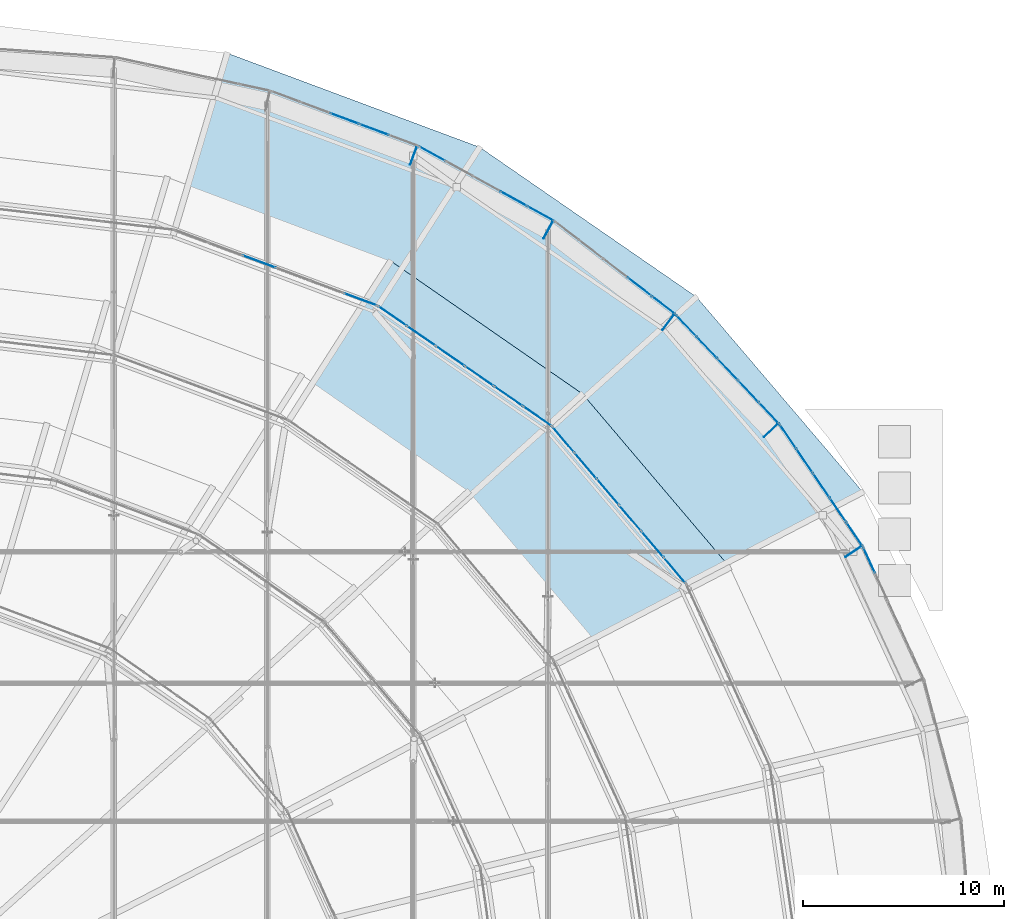
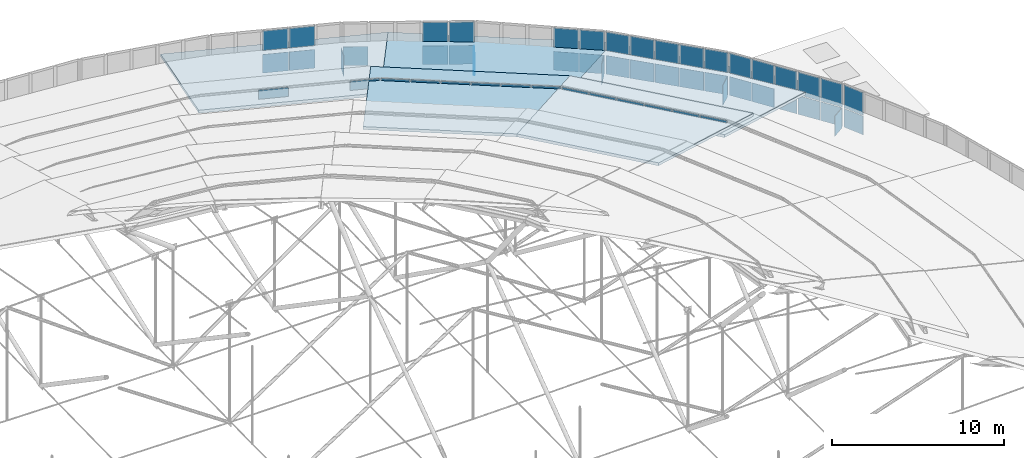
# One storey, part 159 of 173: 54 plates, 5 slabs, 11 elements without a shape of their own.
"""IFC4 building model written with IfcOpenShell, lengths in metres."""

from ifc_helpers import new_model, si_unit, direction, frame, origin, origin_2d, place, context, subcontext, project, spatial, polyline, rectangle, outline, extrude, material, layer, layer_set, type_object, element, aggregate, save


model = new_model("IFC4")

# Units and contexts
model_context = context("Model", 3, precision=1e-05, world=origin(), true_north=direction((0.0, 1.0)))
body_context = subcontext(model_context, "Body", "Model", "MODEL_VIEW")
ifc_project = project(units=[si_unit("LENGTHUNIT", "METRE"), si_unit("AREAUNIT", "SQUARE_METRE"), si_unit("VOLUMEUNIT", "CUBIC_METRE"), si_unit("PLANEANGLEUNIT", "RADIAN"), si_unit("MASSUNIT", "GRAM", prefix="KILO")], contexts=[model_context])

# Site, building, storey
site_placement = place(None, origin())
site = spatial("IfcSite", under=ifc_project, at=site_placement, CompositionType="ELEMENT")
building_placement = place(site_placement, origin())
building = spatial("IfcBuilding", under=site, at=building_placement, Name="Glasvene Arena", CompositionType="ELEMENT")
storey_placement = place(building_placement, frame((0.0, 0.0, 28.800048828125)))
storey = spatial("IfcBuildingStorey", under=building, at=storey_placement, Name="RF", CompositionType="ELEMENT", Elevation=28.800048828125)

# Curtain wall, plates
ifc_material_1 = material(Name="Low-emissivity laminated double glazing", Category="glass")
curtain_wall_type_1 = type_object("IfcCurtainWallType", Name="CW-PET1-1026x75", PredefinedType="USERDEFINED", material=ifc_material_1)
curtain_wall_1_placement = place(storey_placement, frame((128.2431640625, 91.85009765625, 0.0)))
curtain_wall_1 = element("IfcCurtainWall", 1, at=curtain_wall_1_placement, inside=storey, type_object=curtain_wall_type_1, Name="Petal ring 1-2 clerestory curtain wall 03", ObjectType="CURTAIN WALL", PredefinedType="USERDEFINED")
ifc_layer_1 = layer(ifc_material_1, 0.028076171875)
ifc_layer_set_1 = layer_set([ifc_layer_1], Name="Low-emissivity laminated double glazing")
plate_type_1 = type_object("IfcPlateType", Name="CW-GLZ-28", PredefinedType="CURTAIN_PANEL", material=ifc_layer_set_1)
plate_1_placement = place(storey_placement, frame((127.680908203125, 92.51025390625, 2.6298828125), z_axis=(0.0, 0.0, 1.0), x_axis=(-0.648445320272, 0.761261234149, 0.0)))
plate_1 = element("IfcPlate", 2, at=plate_1_placement, type_object=plate_type_1, Name="CW-083 panel 1.1", PredefinedType="CURTAIN_PANEL", context=body_context, shape_type="SweptSolid", body=[
    extrude(rectangle(XDim=1.634521484375, YDim=0.028076171875, at=origin_2d()), origin(), (0.0, 0.0, 1.0), 0.64990234375),
])
plate_2_placement = place(storey_placement, frame((126.58056640625, 93.802001953125, 2.6298828125), z_axis=(0.0, 0.0, 1.0), x_axis=(-0.648445320272, 0.761261234149, 0.0)))
plate_2 = element("IfcPlate", 3, at=plate_2_placement, type_object=plate_type_1, Name="CW-083 panel 2.1", PredefinedType="CURTAIN_PANEL", context=body_context, shape_type="SweptSolid", body=[
    extrude(rectangle(XDim=1.659423828125, YDim=0.028076171875, at=origin_2d()), origin(), (0.0, 0.0, 1.0), 0.64990234375),
])
plate_3_placement = place(storey_placement, frame((125.471923828125, 95.103271484375, 2.6298828125), z_axis=(0.0, 0.0, 1.0), x_axis=(-0.648445320272, 0.761261234149, 0.0)))
plate_3 = element("IfcPlate", 4, at=plate_3_placement, type_object=plate_type_1, Name="CW-083 panel 3.1", PredefinedType="CURTAIN_PANEL", context=body_context, shape_type="SweptSolid", body=[
    extrude(rectangle(XDim=1.659423828125, YDim=0.028076171875, at=origin_2d()), origin(), (0.0, 0.0, 1.0), 0.64990234375),
])
plate_4_placement = place(storey_placement, frame((124.363525390625, 96.404541015625, 2.6298828125), z_axis=(0.0, 0.0, 1.0), x_axis=(-0.648445320272, 0.761261234149, 0.0)))
plate_4 = element("IfcPlate", 5, at=plate_4_placement, type_object=plate_type_1, Name="CW-083 panel 4.1", PredefinedType="CURTAIN_PANEL", context=body_context, shape_type="SweptSolid", body=[
    extrude(rectangle(XDim=1.659423828125, YDim=0.028076171875, at=origin_2d()), origin(), (0.0, 0.0, 1.0), 0.64990234375),
])
plate_5_placement = place(storey_placement, frame((123.255126953125, 97.705810546875, 2.6298828125), z_axis=(0.0, 0.0, 1.0), x_axis=(-0.648445320272, 0.761261234149, 0.0)))
plate_5 = element("IfcPlate", 6, at=plate_5_placement, type_object=plate_type_1, Name="CW-083 panel 5.1", PredefinedType="CURTAIN_PANEL", context=body_context, shape_type="SweptSolid", body=[
    extrude(rectangle(XDim=1.659423828125, YDim=0.028076171875, at=origin_2d()), origin(), (0.0, 0.0, 1.0), 0.64990234375),
])
plate_6_placement = place(storey_placement, frame((122.15478515625, 98.997802734375, 2.6298828125), z_axis=(0.0, 0.0, 1.0), x_axis=(-0.648445320272, 0.761261234149, 0.0)))
plate_6 = element("IfcPlate", 7, at=plate_6_placement, type_object=plate_type_1, Name="CW-083 panel 6.1", PredefinedType="CURTAIN_PANEL", context=body_context, shape_type="SweptSolid", body=[
    extrude(rectangle(XDim=1.634521484375, YDim=0.028076171875, at=origin_2d()), origin(), (0.0, 0.0, 1.0), 0.64990234375),
])
aggregate(curtain_wall_1, [plate_1, plate_2, plate_3, plate_4, plate_5, plate_6])

curtain_wall_type_2 = type_object("IfcCurtainWallType", Name="CW-PET1-1054x75", PredefinedType="USERDEFINED", material=ifc_material_1)
curtain_wall_2_placement = place(storey_placement, frame((121.59228515625, 99.657958984375, 0.0)))
curtain_wall_2 = element("IfcCurtainWall", 8, at=curtain_wall_2_placement, inside=storey, type_object=curtain_wall_type_2, Name="Petal ring 1-2 clerestory curtain wall 04", ObjectType="CURTAIN WALL", PredefinedType="USERDEFINED")
plate_7_placement = place(storey_placement, frame((120.85986328125, 100.164306640625, 2.6298828125), z_axis=(0.0, 0.0, 1.0), x_axis=(-0.822600954666, 0.568619089886, 0.0)))
plate_7 = element("IfcPlate", 9, at=plate_7_placement, type_object=plate_type_1, Name="CW-084 panel 1.1", PredefinedType="CURTAIN_PANEL", context=body_context, shape_type="SweptSolid", body=[
    extrude(rectangle(XDim=1.68115234375, YDim=0.028076171875, at=origin_2d()), origin(), (0.0, 0.0, 1.0), 0.64990234375),
])
plate_8_placement = place(storey_placement, frame((119.425537109375, 101.15576171875, 2.6298828125), z_axis=(0.0, 0.0, 1.0), x_axis=(-0.822600954666, 0.568619089886, 0.0)))
plate_8 = element("IfcPlate", 10, at=plate_8_placement, type_object=plate_type_1, Name="CW-084 panel 2.1", PredefinedType="CURTAIN_PANEL", context=body_context, shape_type="SweptSolid", body=[
    extrude(rectangle(XDim=1.7060546875, YDim=0.028076171875, at=origin_2d()), origin(), (0.0, 0.0, 1.0), 0.64990234375),
])
plate_9_placement = place(storey_placement, frame((117.98095703125, 102.154296875, 2.6298828125), z_axis=(0.0, 0.0, 1.0), x_axis=(-0.822600954666, 0.568619089886, 0.0)))
plate_9 = element("IfcPlate", 11, at=plate_9_placement, type_object=plate_type_1, Name="CW-084 panel 3.1", PredefinedType="CURTAIN_PANEL", context=body_context, shape_type="SweptSolid", body=[
    extrude(rectangle(XDim=1.7060546875, YDim=0.028076171875, at=origin_2d()), origin(), (0.0, 0.0, 1.0), 0.64990234375),
])
plate_10_placement = place(storey_placement, frame((116.536376953125, 103.15283203125, 2.6298828125), z_axis=(0.0, 0.0, 1.0), x_axis=(-0.822600954666, 0.568619089886, 0.0)))
plate_10 = element("IfcPlate", 12, at=plate_10_placement, type_object=plate_type_1, Name="CW-084 panel 4.1", PredefinedType="CURTAIN_PANEL", context=body_context, shape_type="SweptSolid", body=[
    extrude(rectangle(XDim=1.7060546875, YDim=0.028076171875, at=origin_2d()), origin(), (0.0, 0.0, 1.0), 0.64990234375),
])
plate_11_placement = place(storey_placement, frame((115.091796875, 104.1513671875, 2.6298828125), z_axis=(0.0, 0.0, 1.0), x_axis=(-0.822600954666, 0.568619089886, 0.0)))
plate_11 = element("IfcPlate", 13, at=plate_11_placement, type_object=plate_type_1, Name="CW-084 panel 5.1", PredefinedType="CURTAIN_PANEL", context=body_context, shape_type="SweptSolid", body=[
    extrude(rectangle(XDim=1.7060546875, YDim=0.028076171875, at=origin_2d()), origin(), (0.0, 0.0, 1.0), 0.64990234375),
])
plate_12_placement = place(storey_placement, frame((113.657470703125, 105.142822265625, 2.6298828125), z_axis=(0.0, 0.0, 1.0), x_axis=(-0.822600954666, 0.568619089886, 0.0)))
plate_12 = element("IfcPlate", 14, at=plate_12_placement, type_object=plate_type_1, Name="CW-084 panel 6.1", PredefinedType="CURTAIN_PANEL", context=body_context, shape_type="SweptSolid", body=[
    extrude(rectangle(XDim=1.68115234375, YDim=0.028076171875, at=origin_2d()), origin(), (0.0, 0.0, 1.0), 0.64990234375),
])
aggregate(curtain_wall_2, [plate_7, plate_8, plate_9, plate_10, plate_11, plate_12])

curtain_wall_type_3 = type_object("IfcCurtainWallType", Name="CW-PET1-1077x75", PredefinedType="USERDEFINED", material=ifc_material_1)
curtain_wall_3_placement = place(storey_placement, frame((112.925048828125, 105.649169921875, 0.0)))
curtain_wall_3 = element("IfcCurtainWall", 15, at=curtain_wall_3_placement, inside=storey, type_object=curtain_wall_type_3, Name="Petal ring 1-2 clerestory curtain wall 05", ObjectType="CURTAIN WALL", PredefinedType="USERDEFINED")
plate_13_placement = place(storey_placement, frame((112.072265625, 105.967529296875, 2.6298828125), z_axis=(0.0, 0.0, 1.0), x_axis=(-0.936902411354, 0.349591006176, 0.0)))
plate_13 = element("IfcPlate", 16, at=plate_13_placement, type_object=plate_type_1, Name="CW-085 panel 1.1", PredefinedType="CURTAIN_PANEL", context=body_context, shape_type="SweptSolid", body=[
    extrude(rectangle(XDim=1.720458984375, YDim=0.028076171875, at=origin_2d()), origin(), (0.0, 0.0, 1.0), 0.64990234375),
])
plate_14_placement = place(storey_placement, frame((107.037109375, 107.84619140625, 2.6298828125), z_axis=(0.0, 0.0, 1.0), x_axis=(-0.936902411354, 0.349591006176, 0.0)))
plate_14 = element("IfcPlate", 17, at=plate_14_placement, type_object=plate_type_1, Name="CW-085 panel 4.1", PredefinedType="CURTAIN_PANEL", context=body_context, shape_type="SweptSolid", body=[
    extrude(rectangle(XDim=1.74560546875, YDim=0.028076171875, at=origin_2d()), origin(), (0.0, 0.0, 1.0), 0.64990234375),
])
aggregate(curtain_wall_3, [plate_13, plate_14])

curtain_wall_type_4 = type_object("IfcCurtainWallType", Name="CW-DRUM-727x310", PredefinedType="USERDEFINED", material=ifc_material_1)
curtain_wall_4_placement = place(storey_placement, frame((140.075927734375, 87.07568359375, 0.0)))
curtain_wall_4 = element("IfcCurtainWall", 18, at=curtain_wall_4_placement, inside=storey, type_object=curtain_wall_type_4, Name="Crown compression-ring fascia curtain wall 03", ObjectType="CURTAIN WALL", PredefinedType="USERDEFINED")
ifc_material_2 = material(Name="Insulated shadow-box spandrel panel")
ifc_layer_2 = layer(ifc_material_2, 0.02392578125)
ifc_layer_set_2 = layer_set([ifc_layer_2], Name="Insulated shadow-box spandrel panel")
plate_type_2 = type_object("IfcPlateType", Name="CW-SPN-24", PredefinedType="CURTAIN_PANEL", material=ifc_layer_set_2)
plate_15_placement = place(storey_placement, frame((137.34912109375, 93.007568359375, -1.330078125), z_axis=(0.0, 0.0, 1.0), x_axis=(-0.417660752738, 0.908603046232, 0.0)))
plate_15 = element("IfcPlate", 19, at=plate_15_placement, type_object=plate_type_2, Name="CW-073 panel 5.1", PredefinedType="CURTAIN_PANEL", context=body_context, shape_type="SweptSolid", body=[
    extrude(rectangle(XDim=1.378662109375, YDim=0.02392578125, at=origin_2d()), origin(), (0.0, 0.0, 1.0), 1.324951171875),
])
plate_16_placement = place(storey_placement, frame((137.34912109375, 93.007568359375, 0.044921875), z_axis=(0.0, 0.0, 1.0), x_axis=(-0.417660752738, 0.908603046232, 0.0)))
plate_16 = element("IfcPlate", 20, at=plate_16_placement, type_object=plate_type_2, Name="CW-073 panel 5.2", PredefinedType="CURTAIN_PANEL", context=body_context, shape_type="SweptSolid", body=[
    extrude(rectangle(XDim=1.378662109375, YDim=0.02392578125, at=origin_2d()), origin(), (0.0, 0.0, 1.0), 1.625),
])
aggregate(curtain_wall_4, [plate_15, plate_16])

curtain_wall_type_5 = type_object("IfcCurtainWallType", Name="CW-DRUM-737x310", PredefinedType="USERDEFINED", material=ifc_material_1)
curtain_wall_5_placement = place(storey_placement, frame((137.040283203125, 93.67919921875, 0.0)))
curtain_wall_5 = element("IfcCurtainWall", 21, at=curtain_wall_5_placement, inside=storey, type_object=curtain_wall_type_5, Name="Crown compression-ring fascia curtain wall 04", ObjectType="CURTAIN WALL", PredefinedType="USERDEFINED")
plate_17_placement = place(storey_placement, frame((136.618896484375, 94.299072265625, -1.330078125), z_axis=(0.0, 0.0, 1.0), x_axis=(-0.56235418457, 0.826896469394, 0.0)))
plate_17 = element("IfcPlate", 22, at=plate_17_placement, type_object=plate_type_2, Name="CW-074 panel 1.1", PredefinedType="CURTAIN_PANEL", context=body_context, shape_type="SweptSolid", body=[
    extrude(rectangle(XDim=1.39892578125, YDim=0.02392578125, at=origin_2d()), origin(), (0.0, 0.0, 1.0), 1.324951171875),
])
plate_18_placement = place(storey_placement, frame((136.618896484375, 94.299072265625, 0.044921875), z_axis=(0.0, 0.0, 1.0), x_axis=(-0.56235418457, 0.826896469394, 0.0)))
plate_18 = element("IfcPlate", 23, at=plate_18_placement, type_object=plate_type_2, Name="CW-074 panel 1.2", PredefinedType="CURTAIN_PANEL", context=body_context, shape_type="SweptSolid", body=[
    extrude(rectangle(XDim=1.39892578125, YDim=0.02392578125, at=origin_2d()), origin(), (0.0, 0.0, 1.0), 1.625),
])
plate_19_placement = place(storey_placement, frame((135.797119140625, 95.507568359375, -1.330078125), z_axis=(0.0, 0.0, 1.0), x_axis=(-0.56235418457, 0.826896469394, 0.0)))
plate_19 = element("IfcPlate", 24, at=plate_19_placement, type_object=plate_type_2, Name="CW-074 panel 2.1", PredefinedType="CURTAIN_PANEL", context=body_context, shape_type="SweptSolid", body=[
    extrude(rectangle(XDim=1.424072265625, YDim=0.02392578125, at=origin_2d()), origin(), (0.0, 0.0, 1.0), 1.324951171875),
])
plate_20_placement = place(storey_placement, frame((135.797119140625, 95.507568359375, 0.044921875), z_axis=(0.0, 0.0, 1.0), x_axis=(-0.56235418457, 0.826896469394, 0.0)))
plate_20 = element("IfcPlate", 25, at=plate_20_placement, type_object=plate_type_2, Name="CW-074 panel 2.2", PredefinedType="CURTAIN_PANEL", context=body_context, shape_type="SweptSolid", body=[
    extrude(rectangle(XDim=1.424072265625, YDim=0.02392578125, at=origin_2d()), origin(), (0.0, 0.0, 1.0), 1.625),
])
plate_21_placement = place(storey_placement, frame((134.968017578125, 96.7265625, -1.330078125), z_axis=(0.0, 0.0, 1.0), x_axis=(-0.56235418457, 0.826896469394, 0.0)))
plate_21 = element("IfcPlate", 26, at=plate_21_placement, type_object=plate_type_2, Name="CW-074 panel 3.1", PredefinedType="CURTAIN_PANEL", context=body_context, shape_type="SweptSolid", body=[
    extrude(rectangle(XDim=1.424072265625, YDim=0.02392578125, at=origin_2d()), origin(), (0.0, 0.0, 1.0), 1.324951171875),
])
plate_22_placement = place(storey_placement, frame((134.968017578125, 96.7265625, 0.044921875), z_axis=(0.0, 0.0, 1.0), x_axis=(-0.56235418457, 0.826896469394, 0.0)))
plate_22 = element("IfcPlate", 27, at=plate_22_placement, type_object=plate_type_2, Name="CW-074 panel 3.2", PredefinedType="CURTAIN_PANEL", context=body_context, shape_type="SweptSolid", body=[
    extrude(rectangle(XDim=1.424072265625, YDim=0.02392578125, at=origin_2d()), origin(), (0.0, 0.0, 1.0), 1.625),
])
plate_23_placement = place(storey_placement, frame((134.13916015625, 97.9453125, -1.330078125), z_axis=(0.0, 0.0, 1.0), x_axis=(-0.56235418457, 0.826896469394, 0.0)))
plate_23 = element("IfcPlate", 28, at=plate_23_placement, type_object=plate_type_2, Name="CW-074 panel 4.1", PredefinedType="CURTAIN_PANEL", context=body_context, shape_type="SweptSolid", body=[
    extrude(rectangle(XDim=1.424072265625, YDim=0.02392578125, at=origin_2d()), origin(), (0.0, 0.0, 1.0), 1.324951171875),
])
plate_24_placement = place(storey_placement, frame((134.13916015625, 97.9453125, 0.044921875), z_axis=(0.0, 0.0, 1.0), x_axis=(-0.56235418457, 0.826896469394, 0.0)))
plate_24 = element("IfcPlate", 29, at=plate_24_placement, type_object=plate_type_2, Name="CW-074 panel 4.2", PredefinedType="CURTAIN_PANEL", context=body_context, shape_type="SweptSolid", body=[
    extrude(rectangle(XDim=1.424072265625, YDim=0.02392578125, at=origin_2d()), origin(), (0.0, 0.0, 1.0), 1.625),
])
plate_25_placement = place(storey_placement, frame((133.3173828125, 99.15380859375, -1.330078125), z_axis=(0.0, 0.0, 1.0), x_axis=(-0.56235418457, 0.826896469394, 0.0)))
plate_25 = element("IfcPlate", 30, at=plate_25_placement, type_object=plate_type_2, Name="CW-074 panel 5.1", PredefinedType="CURTAIN_PANEL", context=body_context, shape_type="SweptSolid", body=[
    extrude(rectangle(XDim=1.39892578125, YDim=0.02392578125, at=origin_2d()), origin(), (0.0, 0.0, 1.0), 1.324951171875),
])
plate_26_placement = place(storey_placement, frame((133.3173828125, 99.15380859375, 0.044921875), z_axis=(0.0, 0.0, 1.0), x_axis=(-0.56235418457, 0.826896469394, 0.0)))
plate_26 = element("IfcPlate", 31, at=plate_26_placement, type_object=plate_type_2, Name="CW-074 panel 5.2", PredefinedType="CURTAIN_PANEL", context=body_context, shape_type="SweptSolid", body=[
    extrude(rectangle(XDim=1.39892578125, YDim=0.02392578125, at=origin_2d()), origin(), (0.0, 0.0, 1.0), 1.625),
])
aggregate(curtain_wall_5, [plate_17, plate_18, plate_19, plate_20, plate_21, plate_22, plate_23, plate_24, plate_25, plate_26])

curtain_wall_type_6 = type_object("IfcCurtainWallType", Name="CW-DRUM-749x310", PredefinedType="USERDEFINED", material=ifc_material_1)
curtain_wall_6_placement = place(storey_placement, frame((132.895751953125, 99.773681640625, 0.0)))
curtain_wall_6 = element("IfcCurtainWall", 32, at=curtain_wall_6_placement, inside=storey, type_object=curtain_wall_type_6, Name="Crown compression-ring fascia curtain wall 05", ObjectType="CURTAIN WALL", PredefinedType="USERDEFINED")
plate_27_placement = place(storey_placement, frame((132.3720703125, 100.326171875, -1.330078125), z_axis=(0.0, 0.0, 1.0), x_axis=(-0.687924637344, 0.725782125252, 0.0)))
plate_27 = element("IfcPlate", 33, at=plate_27_placement, type_object=plate_type_2, Name="CW-075 panel 1.1", PredefinedType="CURTAIN_PANEL", context=body_context, shape_type="SweptSolid", body=[
    extrude(rectangle(XDim=1.422607421875, YDim=0.02392578125, at=origin_2d()), origin(), (0.0, 0.0, 1.0), 1.324951171875),
])
plate_28_placement = place(storey_placement, frame((132.3720703125, 100.326171875, 0.044921875), z_axis=(0.0, 0.0, 1.0), x_axis=(-0.687924637344, 0.725782125252, 0.0)))
plate_28 = element("IfcPlate", 34, at=plate_28_placement, type_object=plate_type_2, Name="CW-075 panel 1.2", PredefinedType="CURTAIN_PANEL", context=body_context, shape_type="SweptSolid", body=[
    extrude(rectangle(XDim=1.422607421875, YDim=0.02392578125, at=origin_2d()), origin(), (0.0, 0.0, 1.0), 1.625),
])
plate_29_placement = place(storey_placement, frame((131.350341796875, 101.404052734375, -1.330078125), z_axis=(0.0, 0.0, 1.0), x_axis=(-0.687924637344, 0.725782125252, 0.0)))
plate_29 = element("IfcPlate", 35, at=plate_29_placement, type_object=plate_type_2, Name="CW-075 panel 2.1", PredefinedType="CURTAIN_PANEL", context=body_context, shape_type="SweptSolid", body=[
    extrude(rectangle(XDim=1.44775390625, YDim=0.02392578125, at=origin_2d()), origin(), (0.0, 0.0, 1.0), 1.324951171875),
])
plate_30_placement = place(storey_placement, frame((131.350341796875, 101.404052734375, 0.044921875), z_axis=(0.0, 0.0, 1.0), x_axis=(-0.687924637344, 0.725782125252, 0.0)))
plate_30 = element("IfcPlate", 36, at=plate_30_placement, type_object=plate_type_2, Name="CW-075 panel 2.2", PredefinedType="CURTAIN_PANEL", context=body_context, shape_type="SweptSolid", body=[
    extrude(rectangle(XDim=1.44775390625, YDim=0.02392578125, at=origin_2d()), origin(), (0.0, 0.0, 1.0), 1.625),
])
plate_31_placement = place(storey_placement, frame((130.320068359375, 102.4912109375, -1.330078125), z_axis=(0.0, 0.0, 1.0), x_axis=(-0.687924637344, 0.725782125252, 0.0)))
plate_31 = element("IfcPlate", 37, at=plate_31_placement, type_object=plate_type_2, Name="CW-075 panel 3.1", PredefinedType="CURTAIN_PANEL", context=body_context, shape_type="SweptSolid", body=[
    extrude(rectangle(XDim=1.44775390625, YDim=0.02392578125, at=origin_2d()), origin(), (0.0, 0.0, 1.0), 1.324951171875),
])
plate_32_placement = place(storey_placement, frame((130.320068359375, 102.4912109375, 0.044921875), z_axis=(0.0, 0.0, 1.0), x_axis=(-0.687924637344, 0.725782125252, 0.0)))
plate_32 = element("IfcPlate", 38, at=plate_32_placement, type_object=plate_type_2, Name="CW-075 panel 3.2", PredefinedType="CURTAIN_PANEL", context=body_context, shape_type="SweptSolid", body=[
    extrude(rectangle(XDim=1.44775390625, YDim=0.02392578125, at=origin_2d()), origin(), (0.0, 0.0, 1.0), 1.625),
])
plate_33_placement = place(storey_placement, frame((129.289794921875, 103.578125, -1.330078125), z_axis=(0.0, 0.0, 1.0), x_axis=(-0.687924637344, 0.725782125252, 0.0)))
plate_33 = element("IfcPlate", 39, at=plate_33_placement, type_object=plate_type_2, Name="CW-075 panel 4.1", PredefinedType="CURTAIN_PANEL", context=body_context, shape_type="SweptSolid", body=[
    extrude(rectangle(XDim=1.44775390625, YDim=0.02392578125, at=origin_2d()), origin(), (0.0, 0.0, 1.0), 1.324951171875),
])
plate_34_placement = place(storey_placement, frame((129.289794921875, 103.578125, 0.044921875), z_axis=(0.0, 0.0, 1.0), x_axis=(-0.687924637344, 0.725782125252, 0.0)))
plate_34 = element("IfcPlate", 40, at=plate_34_placement, type_object=plate_type_2, Name="CW-075 panel 4.2", PredefinedType="CURTAIN_PANEL", context=body_context, shape_type="SweptSolid", body=[
    extrude(rectangle(XDim=1.44775390625, YDim=0.02392578125, at=origin_2d()), origin(), (0.0, 0.0, 1.0), 1.625),
])
plate_35_placement = place(storey_placement, frame((128.26806640625, 104.656005859375, -1.330078125), z_axis=(0.0, 0.0, 1.0), x_axis=(-0.687924637344, 0.725782125252, 0.0)))
plate_35 = element("IfcPlate", 41, at=plate_35_placement, type_object=plate_type_2, Name="CW-075 panel 5.1", PredefinedType="CURTAIN_PANEL", context=body_context, shape_type="SweptSolid", body=[
    extrude(rectangle(XDim=1.422607421875, YDim=0.02392578125, at=origin_2d()), origin(), (0.0, 0.0, 1.0), 1.324951171875),
])
plate_36_placement = place(storey_placement, frame((128.26806640625, 104.656005859375, 0.044921875), z_axis=(0.0, 0.0, 1.0), x_axis=(-0.687924637344, 0.725782125252, 0.0)))
plate_36 = element("IfcPlate", 42, at=plate_36_placement, type_object=plate_type_2, Name="CW-075 panel 5.2", PredefinedType="CURTAIN_PANEL", context=body_context, shape_type="SweptSolid", body=[
    extrude(rectangle(XDim=1.422607421875, YDim=0.02392578125, at=origin_2d()), origin(), (0.0, 0.0, 1.0), 1.625),
])
aggregate(curtain_wall_6, [plate_27, plate_28, plate_29, plate_30, plate_31, plate_32, plate_33, plate_34, plate_35, plate_36])

curtain_wall_type_7 = type_object("IfcCurtainWallType", Name="CW-DRUM-761x310", PredefinedType="USERDEFINED", material=ifc_material_1)
curtain_wall_7_placement = place(storey_placement, frame((127.744140625, 105.208740234375, 0.0)))
curtain_wall_7 = element("IfcCurtainWall", 43, at=curtain_wall_7_placement, inside=storey, type_object=curtain_wall_type_7, Name="Crown compression-ring fascia curtain wall 06", ObjectType="CURTAIN WALL", PredefinedType="USERDEFINED")
plate_37_placement = place(storey_placement, frame((127.131103515625, 105.680419921875, -1.330078125), z_axis=(0.0, 0.0, 1.0), x_axis=(-0.792482324569, 0.609894880488, 0.0)))
plate_37 = element("IfcPlate", 44, at=plate_37_placement, type_object=plate_type_2, Name="CW-076 panel 1.1", PredefinedType="CURTAIN_PANEL", context=body_context, shape_type="SweptSolid", body=[
    extrude(rectangle(XDim=1.447265625, YDim=0.02392578125, at=origin_2d()), origin(), (0.0, 0.0, 1.0), 1.324951171875),
])
plate_38_placement = place(storey_placement, frame((127.131103515625, 105.680419921875, 0.044921875), z_axis=(0.0, 0.0, 1.0), x_axis=(-0.792482324569, 0.609894880488, 0.0)))
plate_38 = element("IfcPlate", 45, at=plate_38_placement, type_object=plate_type_2, Name="CW-076 panel 1.2", PredefinedType="CURTAIN_PANEL", context=body_context, shape_type="SweptSolid", body=[
    extrude(rectangle(XDim=1.447265625, YDim=0.02392578125, at=origin_2d()), origin(), (0.0, 0.0, 1.0), 1.625),
])
plate_39_placement = place(storey_placement, frame((125.9345703125, 106.601318359375, -1.330078125), z_axis=(0.0, 0.0, 1.0), x_axis=(-0.792482324569, 0.609894880488, 0.0)))
plate_39 = element("IfcPlate", 46, at=plate_39_placement, type_object=plate_type_2, Name="CW-076 panel 2.1", PredefinedType="CURTAIN_PANEL", context=body_context, shape_type="SweptSolid", body=[
    extrude(rectangle(XDim=1.47216796875, YDim=0.02392578125, at=origin_2d()), origin(), (0.0, 0.0, 1.0), 1.324951171875),
])
plate_40_placement = place(storey_placement, frame((125.9345703125, 106.601318359375, 0.044921875), z_axis=(0.0, 0.0, 1.0), x_axis=(-0.792482324569, 0.609894880488, 0.0)))
plate_40 = element("IfcPlate", 47, at=plate_40_placement, type_object=plate_type_2, Name="CW-076 panel 2.2", PredefinedType="CURTAIN_PANEL", context=body_context, shape_type="SweptSolid", body=[
    extrude(rectangle(XDim=1.47216796875, YDim=0.02392578125, at=origin_2d()), origin(), (0.0, 0.0, 1.0), 1.625),
])
aggregate(curtain_wall_7, [plate_37, plate_38, plate_39, plate_40])

curtain_wall_type_8 = type_object("IfcCurtainWallType", Name="CW-DRUM-773x310", PredefinedType="USERDEFINED", material=ifc_material_1)
curtain_wall_8_placement = place(storey_placement, frame((121.71240234375, 109.8505859375, 0.0)))
curtain_wall_8 = element("IfcCurtainWall", 48, at=curtain_wall_8_placement, inside=storey, type_object=curtain_wall_type_8, Name="Crown compression-ring fascia curtain wall 07", ObjectType="CURTAIN WALL", PredefinedType="USERDEFINED")
plate_41_placement = place(storey_placement, frame((121.025146484375, 110.230224609375, -1.330078125), z_axis=(0.0, 0.0, 1.0), x_axis=(-0.875406591103, 0.483387319086, 0.0)))
plate_41 = element("IfcPlate", 49, at=plate_41_placement, type_object=plate_type_2, Name="CW-077 panel 1.1", PredefinedType="CURTAIN_PANEL", context=body_context, shape_type="SweptSolid", body=[
    extrude(rectangle(XDim=1.47021484375, YDim=0.02392578125, at=origin_2d()), origin(), (0.0, 0.0, 1.0), 1.324951171875),
])
plate_42_placement = place(storey_placement, frame((121.025146484375, 110.230224609375, 0.044921875), z_axis=(0.0, 0.0, 1.0), x_axis=(-0.875406591103, 0.483387319086, 0.0)))
plate_42 = element("IfcPlate", 50, at=plate_42_placement, type_object=plate_type_2, Name="CW-077 panel 1.2", PredefinedType="CURTAIN_PANEL", context=body_context, shape_type="SweptSolid", body=[
    extrude(rectangle(XDim=1.47021484375, YDim=0.02392578125, at=origin_2d()), origin(), (0.0, 0.0, 1.0), 1.625),
])
plate_43_placement = place(storey_placement, frame((119.68359375, 110.97119140625, -1.330078125), z_axis=(0.0, 0.0, 1.0), x_axis=(-0.875406591103, 0.483387319086, 0.0)))
plate_43 = element("IfcPlate", 51, at=plate_43_placement, type_object=plate_type_2, Name="CW-077 panel 2.1", PredefinedType="CURTAIN_PANEL", context=body_context, shape_type="SweptSolid", body=[
    extrude(rectangle(XDim=1.4951171875, YDim=0.02392578125, at=origin_2d()), origin(), (0.0, 0.0, 1.0), 1.324951171875),
])
plate_44_placement = place(storey_placement, frame((119.68359375, 110.97119140625, 0.044921875), z_axis=(0.0, 0.0, 1.0), x_axis=(-0.875406591103, 0.483387319086, 0.0)))
plate_44 = element("IfcPlate", 52, at=plate_44_placement, type_object=plate_type_2, Name="CW-077 panel 2.2", PredefinedType="CURTAIN_PANEL", context=body_context, shape_type="SweptSolid", body=[
    extrude(rectangle(XDim=1.4951171875, YDim=0.02392578125, at=origin_2d()), origin(), (0.0, 0.0, 1.0), 1.625),
])
plate_45_placement = place(storey_placement, frame((115.636474609375, 113.205810546875, -1.330078125), z_axis=(0.0, 0.0, 1.0), x_axis=(-0.875406591103, 0.483387319086, 0.0)))
plate_45 = element("IfcPlate", 53, at=plate_45_placement, type_object=plate_type_2, Name="CW-077 panel 5.1", PredefinedType="CURTAIN_PANEL", context=body_context, shape_type="SweptSolid", body=[
    extrude(rectangle(XDim=1.47021484375, YDim=0.02392578125, at=origin_2d()), origin(), (0.0, 0.0, 1.0), 1.324951171875),
])
aggregate(curtain_wall_8, [plate_41, plate_42, plate_43, plate_44, plate_45])

curtain_wall_type_9 = type_object("IfcCurtainWallType", Name="CW-DRUM-782x310", PredefinedType="USERDEFINED", material=ifc_material_1)
curtain_wall_9_placement = place(storey_placement, frame((114.94921875, 113.585205078125, 0.0)))
curtain_wall_9 = element("IfcCurtainWall", 54, at=curtain_wall_9_placement, inside=storey, type_object=curtain_wall_type_9, Name="Crown compression-ring fascia curtain wall 08", ObjectType="CURTAIN WALL", PredefinedType="USERDEFINED")
plate_46_placement = place(storey_placement, frame((112.750732421875, 114.406005859375, -1.330078125), z_axis=(0.0, 0.0, 1.0), x_axis=(-0.936868153311, 0.349682803856, 0.0)))
plate_46 = element("IfcPlate", 55, at=plate_46_placement, type_object=plate_type_2, Name="CW-078 panel 2.1", PredefinedType="CURTAIN_PANEL", context=body_context, shape_type="SweptSolid", body=[
    extrude(rectangle(XDim=1.514404296875, YDim=0.02392578125, at=origin_2d()), origin(), (0.0, 0.0, 1.0), 1.324951171875),
])
plate_47_placement = place(storey_placement, frame((112.750732421875, 114.406005859375, 0.044921875), z_axis=(0.0, 0.0, 1.0), x_axis=(-0.936868153311, 0.349682803856, 0.0)))
plate_47 = element("IfcPlate", 56, at=plate_47_placement, type_object=plate_type_2, Name="CW-078 panel 2.2", PredefinedType="CURTAIN_PANEL", context=body_context, shape_type="SweptSolid", body=[
    extrude(rectangle(XDim=1.514404296875, YDim=0.02392578125, at=origin_2d()), origin(), (0.0, 0.0, 1.0), 1.625),
])
plate_48_placement = place(storey_placement, frame((111.284912109375, 114.952880859375, -1.330078125), z_axis=(0.0, 0.0, 1.0), x_axis=(-0.936868153311, 0.349682803856, 0.0)))
plate_48 = element("IfcPlate", 57, at=plate_48_placement, type_object=plate_type_2, Name="CW-078 panel 3.1", PredefinedType="CURTAIN_PANEL", context=body_context, shape_type="SweptSolid", body=[
    extrude(rectangle(XDim=1.514404296875, YDim=0.02392578125, at=origin_2d()), origin(), (0.0, 0.0, 1.0), 1.324951171875),
])
plate_49_placement = place(storey_placement, frame((111.284912109375, 114.952880859375, 0.044921875), z_axis=(0.0, 0.0, 1.0), x_axis=(-0.936868153311, 0.349682803856, 0.0)))
plate_49 = element("IfcPlate", 58, at=plate_49_placement, type_object=plate_type_2, Name="CW-078 panel 3.2", PredefinedType="CURTAIN_PANEL", context=body_context, shape_type="SweptSolid", body=[
    extrude(rectangle(XDim=1.514404296875, YDim=0.02392578125, at=origin_2d()), origin(), (0.0, 0.0, 1.0), 1.625),
])
aggregate(curtain_wall_9, [plate_46, plate_47, plate_48, plate_49])

# Plates
ifc_material_3 = material(Name="Steel S355J2", Category="steel")
ifc_layer_3 = layer(ifc_material_3, 0.035888671875)
ifc_layer_set_3 = layer_set([ifc_layer_3], Name="Steel S355J2")
plate_type_3 = type_object("IfcPlateType", Name="PL-CAP-36", PredefinedType="SHEET", material=ifc_layer_set_3)
for number, where, z_axis, x_axis, name in (
    (59, (136.55029296875, 93.4296875, -1.409912109375), (0.0, 0.0, 1.0), (-0.562804927695, 0.826589749127, 0.0), "Ring beam node diaphragm cap plate ND-04"),
    (60, (132.45068359375, 99.4501953125, -1.409912109375), (0.0, 0.0, 1.0), (-0.688354575694, 0.725374371012, 0.0), "Ring beam node diaphragm cap plate ND-05"),
    (61, (127.355224609375, 104.81982421875, -1.409912109375), (0.0, 0.0, 1.0), (-0.792821793707, 0.609453528518, 0.0), "Ring beam node diaphragm cap plate ND-06"),
    (62, (121.389404296875, 109.40576171875, -1.409912109375), (0.0, 0.0, 1.0), (-0.875633171036, 0.482976759048, 0.0), "Ring beam node diaphragm cap plate ND-07"),
    (63, (114.699462890625, 113.09521484375, -1.409912109375), (0.0, 0.0, 1.0), (-0.937038411905, 0.349226308593, 0.0), "Ring beam node diaphragm cap plate ND-08"),
):
    element("IfcPlate", number, at=place(storey_placement, frame(where, z_axis=z_axis, x_axis=x_axis)), inside=storey, type_object=plate_type_3, Name=name, PredefinedType="SHEET", context=body_context, shape_type="SweptSolid", body=[
        extrude(rectangle(XDim=0.035888671875, YDim=0.919921875, at=origin_2d()), origin(), (0.0, 0.0, 1.0), 1.419921875),
    ])

# Roof, slabs
ifc_material_4 = material(Name="Smooth matte white insulated roof panel")
ifc_layer_4 = layer(ifc_material_4, 0.179931640625)
ifc_layer_set_4 = layer_set([ifc_layer_4], Name="Smooth matte white insulated roof panel")
roof_type = type_object("IfcRoofType", Name="RF-PETAL-ASSY", PredefinedType="PAVILION_ROOF", material=ifc_layer_set_4)
roof_1_placement = place(storey_placement, frame((92.0, 73.0, 0.0)))
roof_1 = element("IfcRoof", 64, at=roof_1_placement, inside=storey, type_object=roof_type, Name="Shifted white elliptical petal roof ring 1", PredefinedType="PAVILION_ROOF")
ifc_material_5 = material(Name="Precast concrete C50/60", Category="concrete")
ifc_layer_5 = layer(ifc_material_5, 0.179931640625)
ifc_layer_set_5 = layer_set([ifc_layer_5], Name="Precast concrete C50/60")
slab_type = type_object("IfcSlabType", Name="SL-PETAL-180", PredefinedType="ROOF", material=ifc_layer_set_5)
slab_1_placement = place(storey_placement, frame((137.033203125, 96.39990234375, 0.0), z_axis=(0.184821301548, 0.157573849317, 0.970057507834), x_axis=(-0.64878442939, 0.760972249285, -1.48321e-07)))
slab_1 = element("IfcSlab", 65, at=slab_1_placement, type_object=slab_type, Name="White petal roof slab ring 1 bay 03", PredefinedType="ROOF", context=body_context, shape_type="SweptSolid", body=[
    extrude(outline(polyline([(0.0, 0.0), (12.737161776082907, 0.0), (12.46918601935394, 10.293353925118693), (2.304083837361431, 10.293339939019024), (0.0, 0.0)])), origin(), (0.0, 0.0, -1.0), 0.179931640625),
])
slab_2_placement = place(storey_placement, frame((128.76953125, 106.092529296875, 0.0), z_axis=(0.141586340681, 0.205016773168, 0.968463438057), x_axis=(-0.822846991231, 0.568262992831, 4.6396e-07)))
slab_2 = element("IfcSlab", 66, at=slab_2_placement, type_object=slab_type, Name="White petal roof slab ring 1 bay 04", PredefinedType="ROOF", context=body_context, shape_type="SweptSolid", body=[
    extrude(outline(polyline([(0.0, 0.0), (13.088132395215418, -8.881784197001252e-16), (12.757508046506503, 10.033862175654544), (2.312071896359791, 10.033905998163354), (0.0, 0.0)])), origin(), (0.0, 0.0, -1.0), 0.179931640625),
])
slab_3_placement = place(storey_placement, frame((118.0, 113.530029296875, 0.0), z_axis=(0.088876093687, 0.238411353806, 0.967088965063), x_axis=(-0.937009571992, 0.349303681624, -2.20372e-07)))
slab_3 = element("IfcSlab", 67, at=slab_3_placement, type_object=slab_type, Name="White petal roof slab ring 1 bay 05", PredefinedType="ROOF", context=body_context, shape_type="SweptSolid", body=[
    extrude(outline(polyline([(0.0, 0.0), (13.384606253981396, 0.0), (12.742537220942722, 9.825569358369075), (2.0606549970171906, 9.825548514118092), (0.0, 0.0)])), origin(), (0.0, 0.0, -1.0), 0.179931640625),
])
aggregate(roof_1, [slab_1, slab_2, slab_3])

roof_2_placement = place(storey_placement, frame((90.550048828125, 71.85009765625, 2.550048828125)))
roof_2 = element("IfcRoof", 68, at=roof_2_placement, inside=storey, type_object=roof_type, Name="Shifted white elliptical petal roof ring 2", PredefinedType="PAVILION_ROOF")
slab_4_placement = place(storey_placement, frame((130.430419921875, 92.64990234375, 2.550048828125), z_axis=(0.18829925146, 0.159937230007, 0.969001276757), x_axis=(-0.647378458694, 0.762168702595, 1.783374e-06)))
slab_4 = element("IfcSlab", 69, at=slab_4_placement, type_object=slab_type, Name="White petal roof slab ring 2 bay 03", PredefinedType="ROOF", context=body_context, shape_type="SweptSolid", body=[
    extrude(outline(polyline([(0.0, 0.0), (11.304224319809748, 0.0), (10.998840124302074, 10.320688540004861), (2.2720672562147994, 10.320833133954846), (0.0, 0.0)])), origin(), (0.0, 0.0, -1.0), 0.179931640625),
])
slab_5_placement = place(storey_placement, frame((123.1123046875, 101.265625, 2.550048828125), z_axis=(0.144246595653, 0.208098328384, 0.967413047962), x_axis=(-0.821857597258, 0.569692978564, -2.063251e-06)))
slab_5 = element("IfcSlab", 70, at=slab_5_placement, type_object=slab_type, Name="White petal roof slab ring 2 bay 04", PredefinedType="ROOF", context=body_context, shape_type="SweptSolid", body=[
    extrude(outline(polyline([(0.0, 0.0), (11.604634571146635, -1.7763568394002505e-15), (11.239581976687402, 10.07027245358371), (2.2809776207285895, 10.070104892214832), (0.0, 0.0)])), origin(), (0.0, 0.0, -1.0), 0.179931640625),
])
aggregate(roof_2, [slab_4, slab_5])

save(model, "model.ifc")
